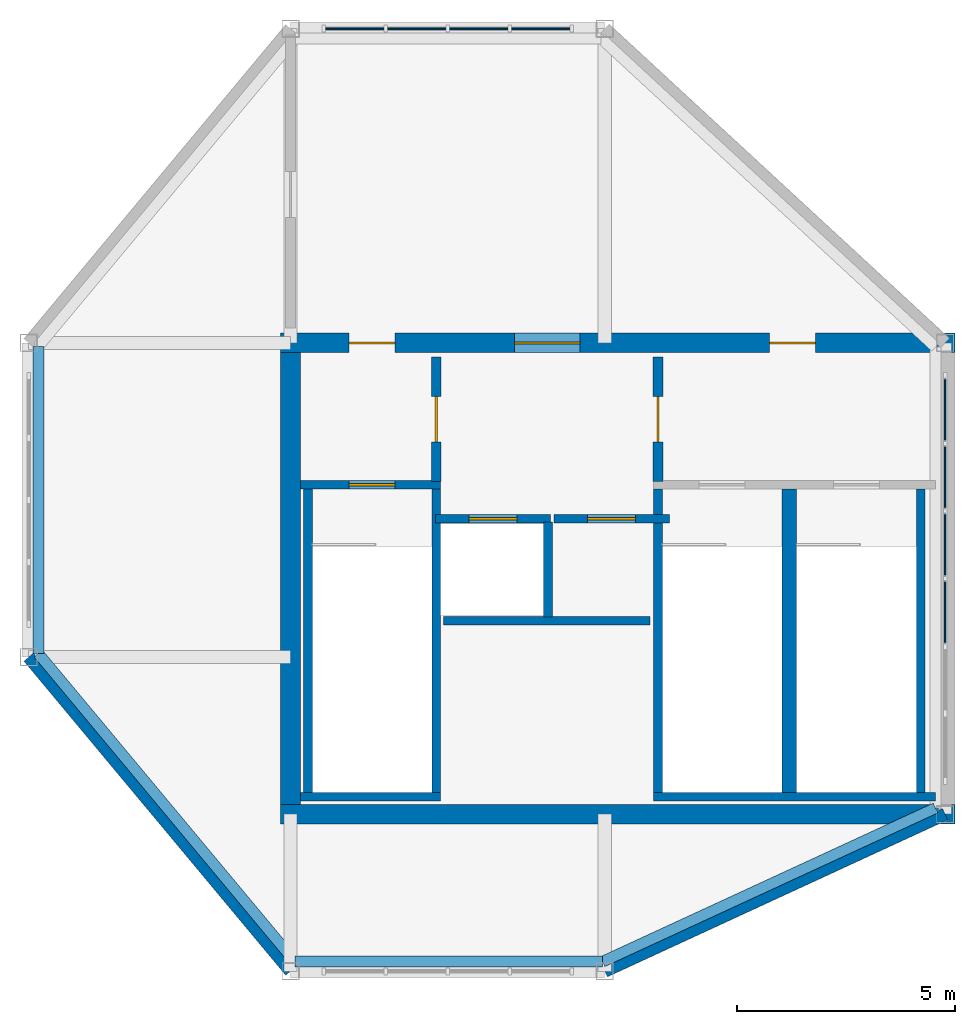
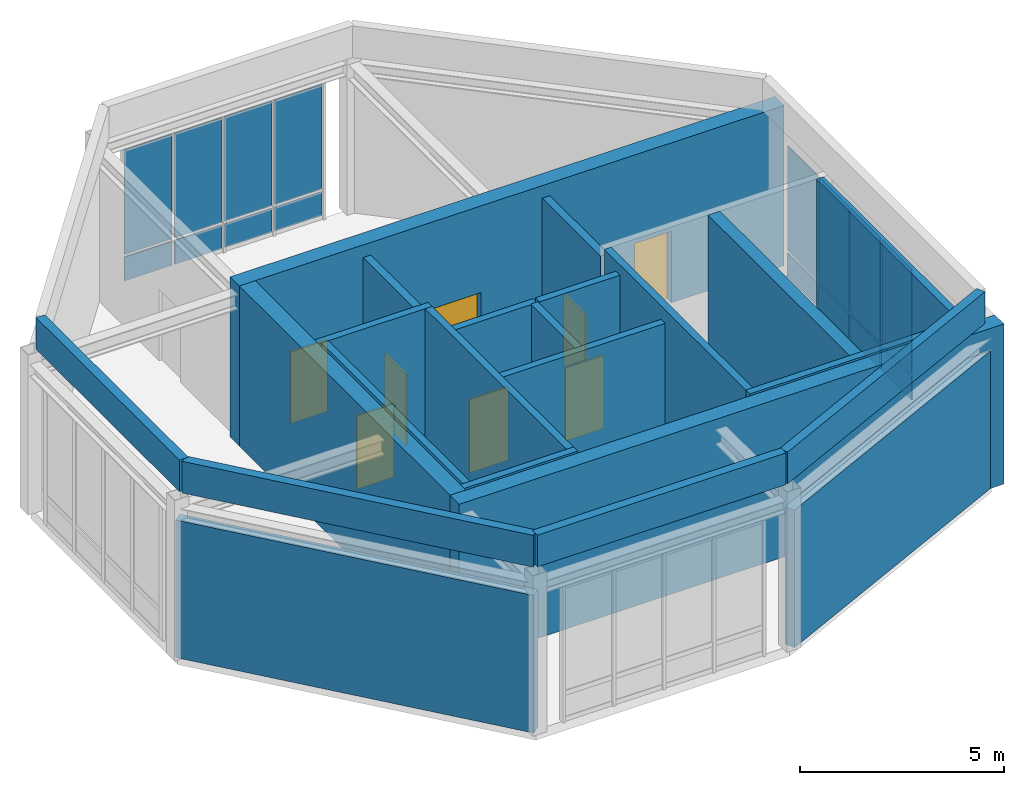
# One storey, part 3 of 5: 23 walls, 16 plates, 8 doors, 8 openings, 2 elements without a shape of their own.
"""IFC4 building model written with IfcOpenShell, lengths in metres."""

from ifc_helpers import new_model, si_unit, derived_unit, direction, frame, frame_2d, origin, origin_2d, place, context, subcontext, project, spatial, rectangle, extrude, source, transform, mapped, material, layer, layer_set, type_object, type_shapes, element, fill, aggregate, save


model = new_model("IFC4")

# Units and contexts
model_context = context("Model", 3, precision=1e-05, world=origin(), true_north=direction((0.0, 1.0)))
body_context = subcontext(model_context, "Body", "Model", "MODEL_VIEW")
ifc_project = project(units=[si_unit("LENGTHUNIT", "METRE"), si_unit("AREAUNIT", "SQUARE_METRE"), si_unit("VOLUMEUNIT", "CUBIC_METRE"), si_unit("PLANEANGLEUNIT", "RADIAN"), si_unit("MASSUNIT", "GRAM", prefix="KILO"), si_unit("THERMODYNAMICTEMPERATUREUNIT", "KELVIN"), si_unit("POWERUNIT", "WATT"), derived_unit("THERMALTRANSMITTANCEUNIT", [(si_unit("POWERUNIT", "WATT"), 1), (si_unit("AREAUNIT", "SQUARE_METRE"), -1), (si_unit("THERMODYNAMICTEMPERATUREUNIT", "KELVIN"), -1)])], contexts=[model_context])

# Site, building, storey
site_placement = place(None, origin())
site = spatial("IfcSite", under=ifc_project, at=site_placement, CompositionType="ELEMENT")
building_placement = place(site_placement, origin())
building = spatial("IfcBuilding", under=site, at=building_placement, Name="Zahravan Archway Hotel and Residences", CompositionType="ELEMENT")
storey_placement = place(building_placement, frame((0.0, 0.0, 303.89990234375)))
storey = spatial("IfcBuildingStorey", under=building, at=storey_placement, Name="L76", CompositionType="ELEMENT", Elevation=303.89990234375)

# Curtain wall, plates
ifc_material_1 = material(Name="Bronze-Anodized Unitised Aluminium & Low-E Glass", Category="aluminium")
ifc_layer_1 = layer(ifc_material_1, 0.179931640625, Name="Bronze-Anodized Unitised Aluminium & Low-E Glass", Category="aluminium")
ifc_layer_set_1 = layer_set([ifc_layer_1], Name="Bronze-Anodized Unitised Aluminium & Low-E Glass")
curtain_wall_type = type_object("IfcCurtainWallType", Name="CW-CRN-DRUM", PredefinedType="NOTDEFINED", material=ifc_layer_set_1)
curtain_wall_1_placement = place(storey_placement, origin())
curtain_wall_1 = element("IfcCurtainWall", 1, at=curtain_wall_1_placement, inside=storey, type_object=curtain_wall_type, Name="L76 Curtain Wall CW-DRUM-L76-5-1", PredefinedType="NOTDEFINED")
ifc_material_2 = material(Name="Insulated Terracotta Spandrel Panel", Category="masonry")
ifc_layer_2 = layer(ifc_material_2, 0.0400390625, Name="Insulated Terracotta Spandrel Panel", Category="masonry")
ifc_layer_set_2 = layer_set([ifc_layer_2], Name="Insulated Terracotta Spandrel Panel")
plate_type_1 = type_object("IfcPlateType", Name="CWP-SPN-40", PredefinedType="SHEET", material=ifc_layer_set_2)
shared_shape_1 = source(origin(), body_context, "Body", "SweptSolid", [
    extrude(rectangle(XDim=1.340087890625, YDim=0.0400390625, at=origin_2d()), origin(), (0.0, 0.0, 1.0), 0.7099609375),
])
plate_1_placement = place(storey_placement, frame((40.530029296875, 21.60009765625, 0.10009765625), z_axis=(0.0, 0.0, 1.0), x_axis=(-1.0, 0.0, 0.0)))
plate_1 = element("IfcPlate", 2, at=plate_1_placement, type_object=plate_type_1, Name="CW-DRUM-L76-5-1 Spandrel Panel 0", PredefinedType="SHEET", context=body_context, shape_type="MappedRepresentation", body=[
    mapped(shared_shape_1, transform((0.0, 0.0, 0.0), scale=1.0)),
])
plate_2_placement = place(storey_placement, frame((39.110107421875, 21.60009765625, 0.10009765625), z_axis=(0.0, 0.0, 1.0), x_axis=(-1.0, 0.0, 0.0)))
plate_2 = element("IfcPlate", 3, at=plate_2_placement, type_object=plate_type_1, Name="CW-DRUM-L76-5-1 Spandrel Panel 1", PredefinedType="SHEET", context=body_context, shape_type="MappedRepresentation", body=[
    mapped(shared_shape_1, transform((0.0, 0.0, 0.0), scale=1.0)),
])
plate_3_placement = place(storey_placement, frame((37.68994140625, 21.60009765625, 0.10009765625), z_axis=(0.0, 0.0, 1.0), x_axis=(-1.0, 0.0, 0.0)))
plate_3 = element("IfcPlate", 4, at=plate_3_placement, type_object=plate_type_1, Name="CW-DRUM-L76-5-1 Spandrel Panel 2", PredefinedType="SHEET", context=body_context, shape_type="MappedRepresentation", body=[
    mapped(shared_shape_1, transform((0.0, 0.0, 0.0), scale=1.0)),
])
plate_4_placement = place(storey_placement, frame((36.27001953125, 21.60009765625, 0.10009765625), z_axis=(0.0, 0.0, 1.0), x_axis=(-1.0, 0.0, 0.0)))
plate_4 = element("IfcPlate", 5, at=plate_4_placement, type_object=plate_type_1, Name="CW-DRUM-L76-5-1 Spandrel Panel 3", PredefinedType="SHEET", context=body_context, shape_type="MappedRepresentation", body=[
    mapped(shared_shape_1, transform((0.0, 0.0, 0.0), scale=1.0)),
])
ifc_material_3 = material(Name="Double-Silver Low-E Insulated Vision Glass", Category="glass")
ifc_layer_3 = layer(ifc_material_3, 0.028076171875, Name="Double-Silver Low-E Insulated Vision Glass", Category="glass")
ifc_layer_set_3 = layer_set([ifc_layer_3], Name="Double-Silver Low-E Insulated Vision Glass")
plate_type_2 = type_object("IfcPlateType", Name="CWP-GLZ-28", PredefinedType="CURTAIN_PANEL", material=ifc_layer_set_3)
shared_shape_2 = source(origin(), body_context, "Body", "SweptSolid", [
    extrude(rectangle(XDim=1.340087890625, YDim=0.028076171875, at=origin_2d()), origin(), (0.0, 0.0, 1.0), 3.135009765625),
])
plate_5_placement = place(storey_placement, frame((40.530029296875, 21.60009765625, 0.89013671875), z_axis=(0.0, 0.0, 1.0), x_axis=(-1.0, 0.0, 0.0)))
plate_5 = element("IfcPlate", 6, at=plate_5_placement, type_object=plate_type_2, Name="CW-DRUM-L76-5-1 Low-E Vision Panel 0", PredefinedType="CURTAIN_PANEL", context=body_context, shape_type="MappedRepresentation", body=[
    mapped(shared_shape_2, transform((0.0, 0.0, 0.0), scale=1.0)),
])
plate_6_placement = place(storey_placement, frame((39.110107421875, 21.60009765625, 0.89013671875), z_axis=(0.0, 0.0, 1.0), x_axis=(-1.0, 0.0, 0.0)))
plate_6 = element("IfcPlate", 7, at=plate_6_placement, type_object=plate_type_2, Name="CW-DRUM-L76-5-1 Low-E Vision Panel 1", PredefinedType="CURTAIN_PANEL", context=body_context, shape_type="MappedRepresentation", body=[
    mapped(shared_shape_2, transform((0.0, 0.0, 0.0), scale=1.0)),
])
plate_7_placement = place(storey_placement, frame((37.68994140625, 21.60009765625, 0.89013671875), z_axis=(0.0, 0.0, 1.0), x_axis=(-1.0, 0.0, 0.0)))
plate_7 = element("IfcPlate", 8, at=plate_7_placement, type_object=plate_type_2, Name="CW-DRUM-L76-5-1 Low-E Vision Panel 2", PredefinedType="CURTAIN_PANEL", context=body_context, shape_type="MappedRepresentation", body=[
    mapped(shared_shape_2, transform((0.0, 0.0, 0.0), scale=1.0)),
])
plate_8_placement = place(storey_placement, frame((36.27001953125, 21.60009765625, 0.89013671875), z_axis=(0.0, 0.0, 1.0), x_axis=(-1.0, 0.0, 0.0)))
plate_8 = element("IfcPlate", 9, at=plate_8_placement, type_object=plate_type_2, Name="CW-DRUM-L76-5-1 Low-E Vision Panel 3", PredefinedType="CURTAIN_PANEL", context=body_context, shape_type="MappedRepresentation", body=[
    mapped(shared_shape_2, transform((0.0, 0.0, 0.0), scale=1.0)),
])
aggregate(curtain_wall_1, [plate_1, plate_5, plate_2, plate_6, plate_3, plate_7, plate_4, plate_8])

curtain_wall_2_placement = place(storey_placement, origin())
curtain_wall_2 = element("IfcCurtainWall", 10, at=curtain_wall_2_placement, inside=storey, type_object=curtain_wall_type, Name="L76 Curtain Wall CW-DRUM-L76-3-1", PredefinedType="NOTDEFINED")
shared_shape_3 = source(origin(), body_context, "Body", "SweptSolid", [
    extrude(rectangle(XDim=1.466796875, YDim=0.0400390625, at=origin_2d()), origin(), (0.0, 0.0, 1.0), 0.7099609375),
])
plate_9_placement = place(storey_placement, frame((49.800048828125, 8.2265625, 0.10009765625), z_axis=(0.0, 0.0, 1.0), x_axis=(0.0, 1.0, 0.0)))
plate_9 = element("IfcPlate", 11, at=plate_9_placement, type_object=plate_type_1, Name="CW-DRUM-L76-3-1 Spandrel Panel 2", PredefinedType="SHEET", context=body_context, shape_type="MappedRepresentation", body=[
    mapped(shared_shape_3, transform((0.0, 0.0, 0.0), scale=1.0)),
])
plate_10_placement = place(storey_placement, frame((49.800048828125, 9.7734375, 0.10009765625), z_axis=(0.0, 0.0, 1.0), x_axis=(0.0, 1.0, 0.0)))
plate_10 = element("IfcPlate", 12, at=plate_10_placement, type_object=plate_type_1, Name="CW-DRUM-L76-3-1 Spandrel Panel 3", PredefinedType="SHEET", context=body_context, shape_type="MappedRepresentation", body=[
    mapped(shared_shape_3, transform((0.0, 0.0, 0.0), scale=1.0)),
])
plate_11_placement = place(storey_placement, frame((49.800048828125, 11.320068359375, 0.10009765625), z_axis=(0.0, 0.0, 1.0), x_axis=(0.0, 1.0, 0.0)))
plate_11 = element("IfcPlate", 13, at=plate_11_placement, type_object=plate_type_1, Name="CW-DRUM-L76-3-1 Spandrel Panel 4", PredefinedType="SHEET", context=body_context, shape_type="MappedRepresentation", body=[
    mapped(shared_shape_3, transform((0.0, 0.0, 0.0), scale=1.0)),
])
plate_12_placement = place(storey_placement, frame((49.800048828125, 12.86669921875, 0.10009765625), z_axis=(0.0, 0.0, 1.0), x_axis=(0.0, 1.0, 0.0)))
plate_12 = element("IfcPlate", 14, at=plate_12_placement, type_object=plate_type_1, Name="CW-DRUM-L76-3-1 Spandrel Panel 5", PredefinedType="SHEET", context=body_context, shape_type="MappedRepresentation", body=[
    mapped(shared_shape_3, transform((0.0, 0.0, 0.0), scale=1.0)),
])
shared_shape_4 = source(origin(), body_context, "Body", "SweptSolid", [
    extrude(rectangle(XDim=1.466796875, YDim=0.028076171875, at=origin_2d()), origin(), (0.0, 0.0, 1.0), 3.135009765625),
])
plate_13_placement = place(storey_placement, frame((49.800048828125, 8.2265625, 0.89013671875), z_axis=(0.0, 0.0, 1.0), x_axis=(0.0, 1.0, 0.0)))
plate_13 = element("IfcPlate", 15, at=plate_13_placement, type_object=plate_type_2, Name="CW-DRUM-L76-3-1 Low-E Vision Panel 2", PredefinedType="CURTAIN_PANEL", context=body_context, shape_type="MappedRepresentation", body=[
    mapped(shared_shape_4, transform((0.0, 0.0, 0.0), scale=1.0)),
])
plate_14_placement = place(storey_placement, frame((49.800048828125, 9.7734375, 0.89013671875), z_axis=(0.0, 0.0, 1.0), x_axis=(0.0, 1.0, 0.0)))
plate_14 = element("IfcPlate", 16, at=plate_14_placement, type_object=plate_type_2, Name="CW-DRUM-L76-3-1 Low-E Vision Panel 3", PredefinedType="CURTAIN_PANEL", context=body_context, shape_type="MappedRepresentation", body=[
    mapped(shared_shape_4, transform((0.0, 0.0, 0.0), scale=1.0)),
])
plate_15_placement = place(storey_placement, frame((49.800048828125, 11.320068359375, 0.89013671875), z_axis=(0.0, 0.0, 1.0), x_axis=(0.0, 1.0, 0.0)))
plate_15 = element("IfcPlate", 17, at=plate_15_placement, type_object=plate_type_2, Name="CW-DRUM-L76-3-1 Low-E Vision Panel 4", PredefinedType="CURTAIN_PANEL", context=body_context, shape_type="MappedRepresentation", body=[
    mapped(shared_shape_4, transform((0.0, 0.0, 0.0), scale=1.0)),
])
plate_16_placement = place(storey_placement, frame((49.800048828125, 12.86669921875, 0.89013671875), z_axis=(0.0, 0.0, 1.0), x_axis=(0.0, 1.0, 0.0)))
plate_16 = element("IfcPlate", 18, at=plate_16_placement, type_object=plate_type_2, Name="CW-DRUM-L76-3-1 Low-E Vision Panel 5", PredefinedType="CURTAIN_PANEL", context=body_context, shape_type="MappedRepresentation", body=[
    mapped(shared_shape_4, transform((0.0, 0.0, 0.0), scale=1.0)),
])
aggregate(curtain_wall_2, [plate_9, plate_13, plate_10, plate_14, plate_11, plate_15, plate_12, plate_16])

# Wall
ifc_material_4 = material(Name="Concrete C50/60", Category="concrete")
ifc_layer_4 = layer(ifc_material_4, 0.449951171875, Name="Concrete C50/60", Category="concrete")
ifc_layer_set_4 = layer_set([ifc_layer_4], Name="Concrete C50/60")
wall_type_1 = type_object("IfcWallType", Name="CW-CORE-450", PredefinedType="SHEAR", material=ifc_layer_set_4)
wall_1_placement = place(storey_placement, frame((34.574951171875, 3.60009765625, 0.0), z_axis=(0.0, 0.0, 1.0), x_axis=(1.0, 0.0, 0.0)))
element("IfcWall", 19, at=wall_1_placement, inside=storey, type_object=wall_type_1, Name="L76 Core A Shear S Wall 450 mm", PredefinedType="SHEAR", context=body_context, shape_type="SweptSolid", body=[
    extrude(rectangle(XDim=15.449951171875, YDim=0.449951171875, at=frame_2d((7.72509765625, 0.0))), origin(), (0.0, 0.0, 1.0), 4.800048828125),
])

# Wall, openings, doors
wall_2_placement = place(storey_placement, frame((34.574951171875, 14.39990234375, 0.0), z_axis=(0.0, 0.0, 1.0), x_axis=(1.0, 0.0, 0.0)))
wall_2 = element("IfcWall", 20, at=wall_2_placement, inside=storey, type_object=wall_type_1, Name="L76 Core A Shear N Wall 450 mm", PredefinedType="SHEAR", context=body_context, shape_type="SweptSolid", body=[
    extrude(rectangle(XDim=15.449951171875, YDim=0.449951171875, at=frame_2d((7.72509765625, 0.0))), origin(), (0.0, 0.0, 1.0), 4.800048828125),
])
opening_1_placement = place(wall_2_placement, frame((5.35498046875, 0.0, 0.0)))
opening_1 = element("IfcOpeningElement", 21, at=opening_1_placement, cuts=wall_2, Name="Opening FD-L1", PredefinedType="OPENING", context=body_context, shape_type="SweptSolid", body=[
    extrude(rectangle(XDim=1.5, YDim=2.199951171875, at=frame_2d((0.75, 1.10009765625))), frame((0.0, 0.23486328125, 0.0), z_axis=(0.0, -1.0, 0.0), x_axis=(1.0, 0.0, 0.0)), (0.0, 0.0, 1.0), 0.469970703125),
])
opening_2_placement = place(wall_2_placement, frame((1.570068359375, 0.0, 0.0)))
opening_2 = element("IfcOpeningElement", 22, at=opening_2_placement, cuts=wall_2, Name="Opening FD-L2", PredefinedType="OPENING", context=body_context, shape_type="SweptSolid", body=[
    extrude(rectangle(XDim=1.050048828125, YDim=2.14990234375, at=frame_2d((0.52490234375, 1.074951171875))), frame((0.0, 0.23486328125, 0.0), z_axis=(0.0, -1.0, 0.0), x_axis=(1.0, 0.0, 0.0)), (0.0, 0.0, 1.0), 0.469970703125),
])
opening_3_placement = place(wall_2_placement, frame((11.199951171875, 0.0, 0.0)))
opening_3 = element("IfcOpeningElement", 23, at=opening_3_placement, cuts=wall_2, Name="Opening FD-L2", PredefinedType="OPENING", context=body_context, shape_type="SweptSolid", body=[
    extrude(rectangle(XDim=1.050048828125, YDim=2.14990234375, at=frame_2d((0.52490234375, 1.074951171875))), frame((0.0, 0.23486328125, 0.0), z_axis=(0.0, -1.0, 0.0), x_axis=(1.0, 0.0, 0.0)), (0.0, 0.0, 1.0), 0.469970703125),
])
ifc_material_5 = material(Name="Fire-Rated Painted Steel", Category="steel")
door_type_1 = type_object("IfcDoorType", Name="FD-LOBBY-1100", OperationType="NOTDEFINED", PredefinedType="DOOR", material=ifc_material_5)
shared_shape_5 = source(origin(), body_context, "Body", "SweptSolid", [
    extrude(rectangle(XDim=1.050048828125, YDim=2.14990234375, at=frame_2d((0.52490234375, 1.074951171875))), frame((0.0, 0.02490234375, 0.0), z_axis=(0.0, -1.0, 0.0), x_axis=(1.0, 0.0, 0.0)), (0.0, 0.0, 1.0), 0.050048828125),
])
type_shapes(door_type_1, [shared_shape_5])
door_1_placement = place(opening_2_placement, origin())
door_1 = element("IfcDoor", 24, at=door_1_placement, inside=storey, type_object=door_type_1, Name="L76 Core A West Stair Lobby Door", OperationType="SINGLE_SWING_RIGHT", OverallHeight=2.14990234375, OverallWidth=1.050048828125, PredefinedType="DOOR", context=body_context, shape_type="MappedRepresentation", body=[
    mapped(shared_shape_5, transform((0.0, 0.0, 0.0), scale=1.0)),
])
fill(opening_2, door_1)
door_2_placement = place(opening_3_placement, origin())
door_2 = element("IfcDoor", 25, at=door_2_placement, inside=storey, type_object=door_type_1, Name="L76 Core A East Stair Lobby Door", OperationType="SINGLE_SWING_LEFT", OverallHeight=2.14990234375, OverallWidth=1.050048828125, PredefinedType="DOOR", context=body_context, shape_type="MappedRepresentation", body=[
    mapped(shared_shape_5, transform((0.0, 0.0, 0.0), scale=1.0)),
])
fill(opening_3, door_2)
door_type_2 = type_object("IfcDoorType", Name="FD-LOBBY-1500", OperationType="DOUBLE_DOOR_SINGLE_SWING", PredefinedType="DOOR", material=ifc_material_5)
shared_shape_6 = source(origin(), body_context, "Body", "SweptSolid", [
    extrude(rectangle(XDim=1.5, YDim=2.199951171875, at=frame_2d((0.75, 1.10009765625))), frame((0.0, 0.02490234375, 0.0), z_axis=(0.0, -1.0, 0.0), x_axis=(1.0, 0.0, 0.0)), (0.0, 0.0, 1.0), 0.050048828125),
])
type_shapes(door_type_2, [shared_shape_6])
door_3_placement = place(opening_1_placement, origin())
door_3 = element("IfcDoor", 26, at=door_3_placement, inside=storey, type_object=door_type_2, Name="L76 Core A FSAE Lobby Main Door", OperationType="DOUBLE_DOOR_SINGLE_SWING", OverallHeight=2.199951171875, OverallWidth=1.5, PredefinedType="DOOR", context=body_context, shape_type="MappedRepresentation", body=[
    mapped(shared_shape_6, transform((0.0, 0.0, 0.0), scale=1.0)),
])
fill(opening_1, door_3)

# Walls
wall_3_placement = place(storey_placement, frame((34.800048828125, 3.824951171875, 0.0), z_axis=(0.0, 0.0, 1.0), x_axis=(0.0, 1.0, 0.0)))
element("IfcWall", 27, at=wall_3_placement, inside=storey, type_object=wall_type_1, Name="L76 Core A Shear W Wall 450 mm", PredefinedType="SHEAR", context=body_context, shape_type="SweptSolid", body=[
    extrude(rectangle(XDim=10.35009765625, YDim=0.449951171875, at=frame_2d((5.175048828125, 0.0))), origin(), (0.0, 0.0, 1.0), 4.800048828125),
])
ifc_material_6 = material(Name="Carved Chhatri Sandstone Cladding Wall", Category="masonry")
ifc_layer_5 = layer(ifc_material_6, 0.280029296875, Name="Carved Chhatri Sandstone Cladding Wall", Category="masonry")
ifc_layer_set_5 = layer_set([ifc_layer_5], Name="Carved Chhatri Sandstone Cladding Wall")
wall_type_2 = type_object("IfcWallType", Name="EW-DRUM-280", PredefinedType="SOLIDWALL", material=ifc_layer_set_5)
wall_4_placement = place(storey_placement, frame((42.0, 0.0, 0.0), z_axis=(0.0, 0.0, 1.0), x_axis=(0.907956057379, 0.41906538615, 0.0)))
element("IfcWall", 28, at=wall_4_placement, inside=storey, type_object=wall_type_2, Name="L76 Octagonal Chhatri Sandstone Face 2", PredefinedType="SOLIDWALL", context=body_context, shape_type="SweptSolid", body=[
    extrude(rectangle(XDim=8.5908203125, YDim=0.280029296875, at=frame_2d((4.29541015625, 0.0))), origin(), (0.0, 0.0, 1.0), 4.125),
])
wall_5_placement = place(storey_placement, frame((28.800048828125, 7.199951171875, 0.0), z_axis=(0.0, 0.0, 1.0), x_axis=(0.640186961885, -0.768219144407, 0.0)))
element("IfcWall", 29, at=wall_5_placement, inside=storey, type_object=wall_type_2, Name="L76 Octagonal Chhatri Sandstone Face 8", PredefinedType="SOLIDWALL", context=body_context, shape_type="SweptSolid", body=[
    extrude(rectangle(XDim=9.372314453125, YDim=0.280029296875, at=frame_2d((4.68603515625, 0.0))), origin(), (0.0, 0.0, 1.0), 4.125),
])
ifc_material_7 = material(Name="Agra Buff Sandstone Coping Wall", Category="masonry")
ifc_layer_6 = layer(ifc_material_7, 0.25, Name="Agra Buff Sandstone Coping Wall", Category="masonry")
ifc_layer_set_6 = layer_set([ifc_layer_6], Name="Agra Buff Sandstone Coping Wall")
wall_type_3 = type_object("IfcWallType", Name="EW-PARA-250", PredefinedType="PARAPET", material=ifc_layer_set_6)
wall_6_placement = place(storey_placement, frame((34.903076171875, 0.219970703125, 4.800048828125), z_axis=(0.0, 0.0, 1.0), x_axis=(-0.640176560292, 0.76822781234, 0.0)))
element("IfcWall", 30, at=wall_6_placement, inside=storey, type_object=wall_type_3, Name="L76 Crown Roof Coping Parapet 1", PredefinedType="PARAPET", context=body_context, shape_type="SweptSolid", body=[
    extrude(rectangle(XDim=9.189697265625, YDim=0.25, at=frame_2d((4.5947265625, 0.0))), origin(), (0.0, 0.0, 1.0), 0.949951171875),
])
wall_7_placement = place(storey_placement, frame((29.02001953125, 7.27978515625, 4.800048828125), z_axis=(0.0, 0.0, 1.0), x_axis=(0.0, 1.0, 0.0)))
element("IfcWall", 31, at=wall_7_placement, inside=storey, type_object=wall_type_3, Name="L76 Crown Roof Coping Parapet 2", PredefinedType="PARAPET", context=body_context, shape_type="SweptSolid", body=[
    extrude(rectangle(XDim=7.04052734375, YDim=0.25, at=frame_2d((3.520263671875, 0.0))), origin(), (0.0, 0.0, 1.0), 0.949951171875),
])
wall_8_placement = place(storey_placement, frame((49.580078125, 3.74072265625, 4.800048828125), z_axis=(0.0, 0.0, 1.0), x_axis=(-0.907961935962, -0.419052649251, 0.0)))
element("IfcWall", 32, at=wall_8_placement, inside=storey, type_object=wall_type_3, Name="L76 Crown Roof Coping Parapet 7", PredefinedType="PARAPET", context=body_context, shape_type="SweptSolid", body=[
    extrude(rectangle(XDim=8.401611328125, YDim=0.25, at=frame_2d((4.20068359375, 0.0))), origin(), (0.0, 0.0, 1.0), 0.949951171875),
])
wall_9_placement = place(storey_placement, frame((41.95166015625, 0.219970703125, 4.800048828125), z_axis=(0.0, 0.0, 1.0), x_axis=(-1.0, 0.0, 0.0)))
element("IfcWall", 33, at=wall_9_placement, inside=storey, type_object=wall_type_3, Name="L76 Crown Roof Coping Parapet 8", PredefinedType="PARAPET", context=body_context, shape_type="SweptSolid", body=[
    extrude(rectangle(XDim=7.048583984375, YDim=0.25, at=frame_2d((3.5244140625, 0.0))), origin(), (0.0, 0.0, 1.0), 0.949951171875),
])

# Wall, opening, door
ifc_material_8 = material(Name="Fire-Rated Gypsum & Concrete Block", Category="concrete")
ifc_layer_7 = layer(ifc_material_8, 0.219970703125, Name="Fire-Rated Gypsum & Concrete Block", Category="concrete")
ifc_layer_set_7 = layer_set([ifc_layer_7], Name="Fire-Rated Gypsum & Concrete Block")
wall_type_4 = type_object("IfcWallType", Name="PW-COMP-220", PredefinedType="PARTITIONING", material=ifc_layer_set_7)
wall_10_placement = place(storey_placement, frame((38.139892578125, 11.219970703125, 0.0), z_axis=(0.0, 0.0, 1.0), x_axis=(0.0, 1.0, 0.0)))
wall_10 = element("IfcWall", 34, at=wall_10_placement, inside=storey, type_object=wall_type_4, Name="L76 Partition CA-LOBW", PredefinedType="PARTITIONING", context=body_context, shape_type="SweptSolid", body=[
    extrude(rectangle(XDim=2.860107421875, YDim=0.219970703125, at=frame_2d((1.43017578125, 0.0))), origin(), (0.0, 0.0, 1.0), 4.5),
])
opening_4_placement = place(wall_10_placement, frame((0.905029296875, 0.0, 0.0)))
opening_4 = element("IfcOpeningElement", 35, at=opening_4_placement, cuts=wall_10, Name="Opening FD-L2", PredefinedType="OPENING", context=body_context, shape_type="SweptSolid", body=[
    extrude(rectangle(XDim=1.050048828125, YDim=2.14990234375, at=frame_2d((0.52490234375, 1.074951171875))), frame((0.0, 0.1201171875, 0.0), z_axis=(0.0, -1.0, 0.0), x_axis=(1.0, 0.0, 0.0)), (0.0, 0.0, 1.0), 0.239990234375),
])
door_4_placement = place(opening_4_placement, origin())
door_4 = element("IfcDoor", 36, at=door_4_placement, inside=storey, type_object=door_type_1, Name="L76 Core A West Stair to FSAE Lobby Door", OperationType="SINGLE_SWING_RIGHT", OverallHeight=2.14990234375, OverallWidth=1.050048828125, PredefinedType="DOOR", context=body_context, shape_type="MappedRepresentation", body=[
    mapped(shared_shape_5, transform((0.0, 0.0, 0.0), scale=1.0)),
])
fill(opening_4, door_4)

wall_11_placement = place(storey_placement, frame((43.219970703125, 11.219970703125, 0.0), z_axis=(0.0, 0.0, 1.0), x_axis=(0.0, 1.0, 0.0)))
wall_11 = element("IfcWall", 37, at=wall_11_placement, inside=storey, type_object=wall_type_4, Name="L76 Partition CA-LOBE", PredefinedType="PARTITIONING", context=body_context, shape_type="SweptSolid", body=[
    extrude(rectangle(XDim=2.860107421875, YDim=0.219970703125, at=frame_2d((1.43017578125, 0.0))), origin(), (0.0, 0.0, 1.0), 4.5),
])
opening_5_placement = place(wall_11_placement, frame((0.905029296875, 0.0, 0.0)))
opening_5 = element("IfcOpeningElement", 38, at=opening_5_placement, cuts=wall_11, Name="Opening FD-L2", PredefinedType="OPENING", context=body_context, shape_type="SweptSolid", body=[
    extrude(rectangle(XDim=1.050048828125, YDim=2.14990234375, at=frame_2d((0.52490234375, 1.074951171875))), frame((0.0, 0.1201171875, 0.0), z_axis=(0.0, -1.0, 0.0), x_axis=(1.0, 0.0, 0.0)), (0.0, 0.0, 1.0), 0.239990234375),
])
door_5_placement = place(opening_5_placement, origin())
door_5 = element("IfcDoor", 39, at=door_5_placement, inside=storey, type_object=door_type_1, Name="L76 Core A East Stair to FSAE Lobby Door", OperationType="SINGLE_SWING_LEFT", OverallHeight=2.14990234375, OverallWidth=1.050048828125, PredefinedType="DOOR", context=body_context, shape_type="MappedRepresentation", body=[
    mapped(shared_shape_5, transform((0.0, 0.0, 0.0), scale=1.0)),
])
fill(opening_5, door_5)

# Walls
ifc_layer_8 = layer(ifc_material_8, 0.199951171875, Name="Fire-Rated Gypsum & Concrete Block", Category="concrete")
ifc_layer_set_8 = layer_set([ifc_layer_8], Name="Fire-Rated Gypsum & Concrete Block")
wall_type_5 = type_object("IfcWallType", Name="PW-SHAFT-200", PredefinedType="PARTITIONING", material=ifc_layer_set_8)
wall_12_placement = place(storey_placement, frame((38.300048828125, 8.030029296875, 0.0), z_axis=(0.0, 0.0, 1.0), x_axis=(1.0, 0.0, 0.0)))
element("IfcWall", 40, at=wall_12_placement, inside=storey, type_object=wall_type_5, Name="L76 Partition CA-FLS", PredefinedType="PARTITIONING", context=body_context, shape_type="SweptSolid", body=[
    extrude(rectangle(XDim=4.739990234375, YDim=0.199951171875, at=frame_2d((2.3701171875, 0.0))), origin(), (0.0, 0.0, 1.0), 4.5),
])
wall_13_placement = place(storey_placement, frame((40.699951171875, 8.1201171875, 0.0), z_axis=(0.0, 0.0, 1.0), x_axis=(0.0, 1.0, 0.0)))
element("IfcWall", 41, at=wall_13_placement, inside=storey, type_object=wall_type_5, Name="L76 Partition CA-FLM", PredefinedType="PARTITIONING", context=body_context, shape_type="SweptSolid", body=[
    extrude(rectangle(XDim=2.179931640625, YDim=0.199951171875, at=frame_2d((1.08984375, 0.0))), origin(), (0.0, 0.0, 1.0), 4.5),
])

# Wall, opening, door
wall_14_placement = place(storey_placement, frame((38.1201171875, 10.3701171875, 0.0), z_axis=(0.0, 0.0, 1.0), x_axis=(1.0, 0.0, 0.0)))
wall_14 = element("IfcWall", 42, at=wall_14_placement, inside=storey, type_object=wall_type_5, Name="L76 Lift FL-1 Front Wall", PredefinedType="PARTITIONING", context=body_context, shape_type="SweptSolid", body=[
    extrude(rectangle(XDim=2.639892578125, YDim=0.199951171875, at=frame_2d((1.31982421875, 0.0))), origin(), (0.0, 0.0, 1.0), 4.5),
])
opening_6_placement = place(wall_14_placement, frame((0.77001953125, 0.0, 0.0)))
opening_6 = element("IfcOpeningElement", 43, at=opening_6_placement, cuts=wall_14, Name="Opening LD", PredefinedType="OPENING", context=body_context, shape_type="SweptSolid", body=[
    extrude(rectangle(XDim=1.10009765625, YDim=2.199951171875, at=frame_2d((0.550048828125, 1.10009765625))), frame((0.0, 0.10986328125, 0.0), z_axis=(0.0, -1.0, 0.0), x_axis=(1.0, 0.0, 0.0)), (0.0, 0.0, 1.0), 0.219970703125),
])
ifc_material_9 = material(Name="Brushed Stainless Steel", Category="steel")
door_type_3 = type_object("IfcDoorType", Name="DR-LIFT-LD", OperationType="SLIDING_TO_LEFT", PredefinedType="DOOR", material=ifc_material_9)
shared_shape_7 = source(origin(), body_context, "Body", "SweptSolid", [
    extrude(rectangle(XDim=1.10009765625, YDim=2.199951171875, at=frame_2d((0.550048828125, 1.10009765625))), frame((0.0, 0.02490234375, 0.0), z_axis=(0.0, -1.0, 0.0), x_axis=(1.0, 0.0, 0.0)), (0.0, 0.0, 1.0), 0.050048828125),
])
type_shapes(door_type_3, [shared_shape_7])
door_6_placement = place(opening_6_placement, origin())
door_6 = element("IfcDoor", 44, at=door_6_placement, inside=storey, type_object=door_type_3, Name="L76 Lift FL-1 Sliding Landing Door", OperationType="SLIDING_TO_LEFT", OverallHeight=2.199951171875, OverallWidth=1.10009765625, PredefinedType="DOOR", context=body_context, shape_type="MappedRepresentation", body=[
    mapped(shared_shape_7, transform((0.0, 0.0, 0.0), scale=1.0)),
])
fill(opening_6, door_6)

wall_15_placement = place(storey_placement, frame((40.840087890625, 10.3701171875, 0.0), z_axis=(0.0, 0.0, 1.0), x_axis=(1.0, 0.0, 0.0)))
wall_15 = element("IfcWall", 45, at=wall_15_placement, inside=storey, type_object=wall_type_5, Name="L76 Lift FL-2 Front Wall", PredefinedType="PARTITIONING", context=body_context, shape_type="SweptSolid", body=[
    extrude(rectangle(XDim=2.639892578125, YDim=0.199951171875, at=frame_2d((1.31982421875, 0.0))), origin(), (0.0, 0.0, 1.0), 4.5),
])
opening_7_placement = place(wall_15_placement, frame((0.77001953125, 0.0, 0.0)))
opening_7 = element("IfcOpeningElement", 46, at=opening_7_placement, cuts=wall_15, Name="Opening LD", PredefinedType="OPENING", context=body_context, shape_type="SweptSolid", body=[
    extrude(rectangle(XDim=1.10009765625, YDim=2.199951171875, at=frame_2d((0.550048828125, 1.10009765625))), frame((0.0, 0.10986328125, 0.0), z_axis=(0.0, -1.0, 0.0), x_axis=(1.0, 0.0, 0.0)), (0.0, 0.0, 1.0), 0.219970703125),
])
door_7_placement = place(opening_7_placement, origin())
door_7 = element("IfcDoor", 47, at=door_7_placement, inside=storey, type_object=door_type_3, Name="L76 Lift FL-2 Sliding Landing Door", OperationType="SLIDING_TO_LEFT", OverallHeight=2.199951171875, OverallWidth=1.10009765625, PredefinedType="DOOR", context=body_context, shape_type="MappedRepresentation", body=[
    mapped(shared_shape_7, transform((0.0, 0.0, 0.0), scale=1.0)),
])
fill(opening_7, door_7)

# Walls
ifc_layer_9 = layer(ifc_material_4, 0.199951171875, Name="Concrete C50/60", Category="concrete")
ifc_layer_set_9 = layer_set([ifc_layer_9], Name="Concrete C50/60")
wall_type_6 = type_object("IfcWallType", Name="SW-STAIR-200", PredefinedType="SHEAR", material=ifc_layer_set_9)
wall_16_placement = place(storey_placement, frame((35.02490234375, 4.0, 0.0), z_axis=(0.0, 0.0, 1.0), x_axis=(1.0, 0.0, 0.0)))
element("IfcWall", 48, at=wall_16_placement, inside=storey, type_object=wall_type_6, Name="L76 Stairwell RC Wall CA-SA1S", PredefinedType="SHEAR", context=body_context, shape_type="SweptSolid", body=[
    extrude(rectangle(XDim=3.215087890625, YDim=0.199951171875, at=frame_2d((1.607421875, 0.0))), origin(), (0.0, 0.0, 1.0), 4.800048828125),
])
for number, where, z_axis, x_axis, name in (
    (49, (35.199951171875, 4.10009765625, 0.0), (0.0, 0.0, 1.0), (0.0, 1.0, 0.0), "L76 Stairwell RC Wall CA-SA1W"),
    (50, (38.139892578125, 4.10009765625, 0.0), (0.0, 0.0, 1.0), (0.0, 1.0, 0.0), "L76 Stairwell RC Wall CA-SA1E"),
):
    element("IfcWall", number, at=place(storey_placement, frame(where, z_axis=z_axis, x_axis=x_axis)), inside=storey, type_object=wall_type_6, Name=name, PredefinedType="SHEAR", context=body_context, shape_type="SweptSolid", body=[
        extrude(rectangle(XDim=6.949951171875, YDim=0.199951171875, at=frame_2d((3.47509765625, 0.0))), origin(), (0.0, 0.0, 1.0), 4.800048828125),
    ])

# Wall, opening, door
wall_17_placement = place(storey_placement, frame((35.02490234375, 11.14990234375, 0.0), z_axis=(0.0, 0.0, 1.0), x_axis=(1.0, 0.0, 0.0)))
wall_17 = element("IfcWall", 51, at=wall_17_placement, inside=storey, type_object=wall_type_6, Name="L76 Stairwell RC Wall CA-SA1N", PredefinedType="SHEAR", context=body_context, shape_type="SweptSolid", body=[
    extrude(rectangle(XDim=3.215087890625, YDim=0.199951171875, at=frame_2d((1.607421875, 0.0))), origin(), (0.0, 0.0, 1.0), 4.800048828125),
])
opening_8_placement = place(wall_17_placement, frame((1.1201171875, 0.0, 0.0)))
opening_8 = element("IfcOpeningElement", 52, at=opening_8_placement, cuts=wall_17, Name="Opening FD-S1", PredefinedType="OPENING", context=body_context, shape_type="SweptSolid", body=[
    extrude(rectangle(XDim=1.050048828125, YDim=2.199951171875, at=frame_2d((0.52490234375, 1.10009765625))), frame((0.0, 0.10986328125, 0.0), z_axis=(0.0, -1.0, 0.0), x_axis=(1.0, 0.0, 0.0)), (0.0, 0.0, 1.0), 0.219970703125),
])
door_type_4 = type_object("IfcDoorType", Name="FD-STAIR-1100", OperationType="NOTDEFINED", PredefinedType="DOOR", material=ifc_material_5)
shared_shape_8 = source(origin(), body_context, "Body", "SweptSolid", [
    extrude(rectangle(XDim=1.050048828125, YDim=2.199951171875, at=frame_2d((0.52490234375, 1.10009765625))), frame((0.0, 0.02490234375, 0.0), z_axis=(0.0, -1.0, 0.0), x_axis=(1.0, 0.0, 0.0)), (0.0, 0.0, 1.0), 0.050048828125),
])
type_shapes(door_type_4, [shared_shape_8])
door_8_placement = place(opening_8_placement, origin())
door_8 = element("IfcDoor", 53, at=door_8_placement, inside=storey, type_object=door_type_4, Name="L76 Stair ST-A1 Door", OperationType="SINGLE_SWING_LEFT", OverallHeight=2.199951171875, OverallWidth=1.050048828125, PredefinedType="DOOR", context=body_context, shape_type="MappedRepresentation", body=[
    mapped(shared_shape_8, transform((0.0, 0.0, 0.0), scale=1.0)),
])
fill(opening_8, door_8)

# Walls
wall_18_placement = place(storey_placement, frame((43.1201171875, 4.0, 0.0), z_axis=(0.0, 0.0, 1.0), x_axis=(1.0, 0.0, 0.0)))
element("IfcWall", 54, at=wall_18_placement, inside=storey, type_object=wall_type_6, Name="L76 Stairwell RC Wall CA-SA23S", PredefinedType="SHEAR", context=body_context, shape_type="SweptSolid", body=[
    extrude(rectangle(XDim=6.454833984375, YDim=0.199951171875, at=frame_2d((3.2275390625, 0.0))), origin(), (0.0, 0.0, 1.0), 4.800048828125),
])
for number, where, z_axis, x_axis, name in (
    (55, (43.219970703125, 4.10009765625, 0.0), (0.0, 0.0, 1.0), (0.0, 1.0, 0.0), "L76 Stairwell RC Wall CA-SA2W"),
    (56, (49.239990234375, 4.10009765625, 0.0), (0.0, 0.0, 1.0), (0.0, 1.0, 0.0), "L76 Stairwell RC Wall CA-SA3E"),
):
    element("IfcWall", number, at=place(storey_placement, frame(where, z_axis=z_axis, x_axis=x_axis)), inside=storey, type_object=wall_type_6, Name=name, PredefinedType="SHEAR", context=body_context, shape_type="SweptSolid", body=[
        extrude(rectangle(XDim=6.949951171875, YDim=0.199951171875, at=frame_2d((3.47509765625, 0.0))), origin(), (0.0, 0.0, 1.0), 4.800048828125),
    ])
ifc_layer_10 = layer(ifc_material_4, 0.340087890625, Name="Concrete C50/60", Category="concrete")
ifc_layer_set_10 = layer_set([ifc_layer_10], Name="Concrete C50/60")
wall_type_7 = type_object("IfcWallType", Name="SW-STAIR-340", PredefinedType="SHEAR", material=ifc_layer_set_10)
wall_19_placement = place(storey_placement, frame((46.22998046875, 4.10009765625, 0.0), z_axis=(0.0, 0.0, 1.0), x_axis=(0.0, 1.0, 0.0)))
element("IfcWall", 57, at=wall_19_placement, inside=storey, type_object=wall_type_7, Name="L76 Stairwell RC Wall CA-SA23M", PredefinedType="SHEAR", context=body_context, shape_type="SweptSolid", body=[
    extrude(rectangle(XDim=6.949951171875, YDim=0.340087890625, at=frame_2d((3.47509765625, 0.0))), origin(), (0.0, 0.0, 1.0), 4.800048828125),
])

save(model, "model.ifc")
